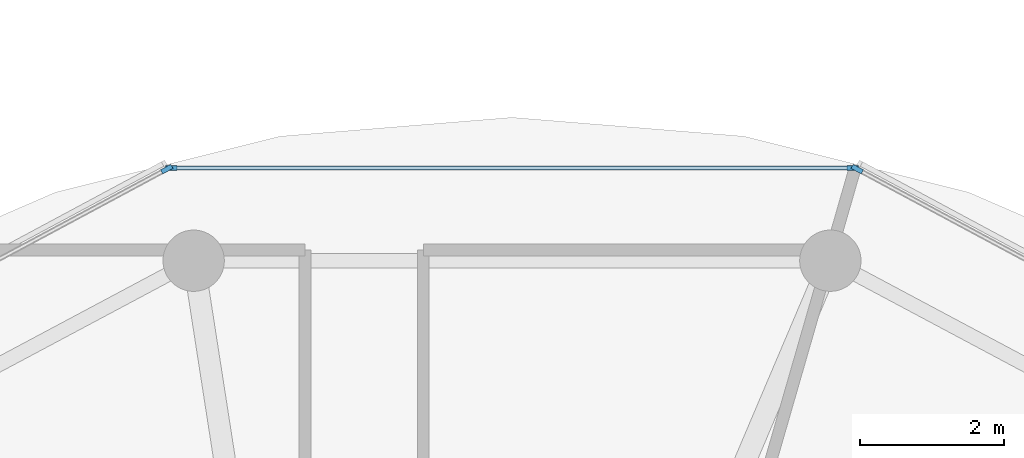
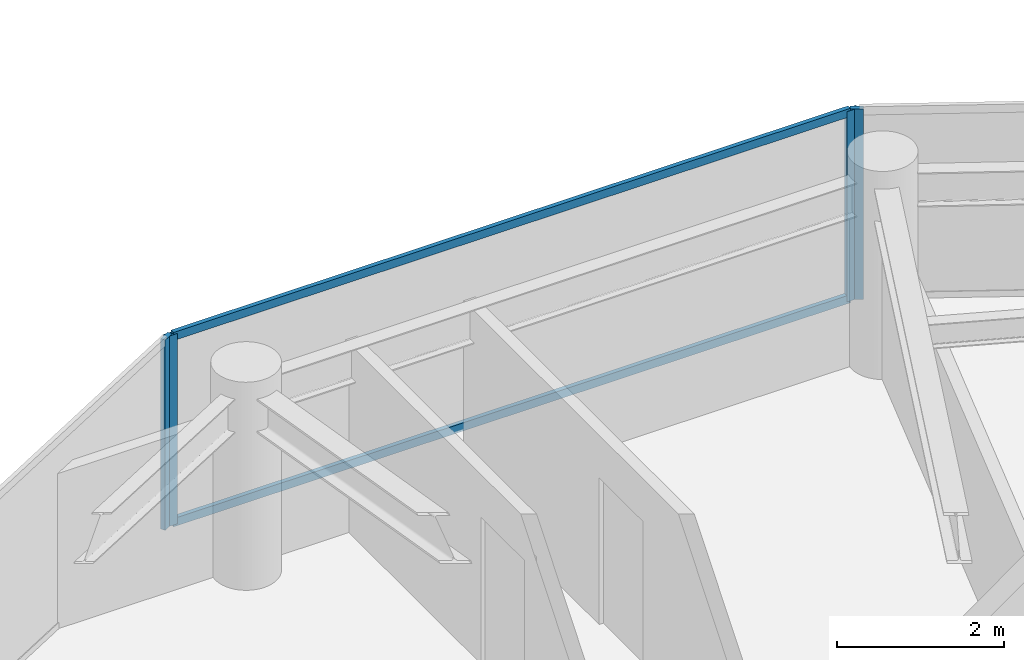
# One storey, part 9 of 24: 6 members, 3 elements without a shape of their own.
"""IFC4 building model written with IfcOpenShell, lengths in metres."""

from ifc_helpers import new_model, si_unit, direction, frame, origin, origin_2d, place, context, subcontext, project, spatial, rectangle, extrude, source, transform, mapped, material, layer, layer_set, material_profile, profile_set, type_object, type_shapes, element, aggregate, save


model = new_model("IFC4")

# Units and contexts
model_context = context("Model", 3, precision=1e-05, world=origin(), true_north=direction((0.0, 1.0)))
body_context = subcontext(model_context, "Body", "Model", "MODEL_VIEW")
ifc_project = project(units=[si_unit("LENGTHUNIT", "METRE"), si_unit("AREAUNIT", "SQUARE_METRE"), si_unit("VOLUMEUNIT", "CUBIC_METRE"), si_unit("PLANEANGLEUNIT", "RADIAN"), si_unit("MASSUNIT", "GRAM", prefix="KILO")], contexts=[model_context])

# Site, building, storey
site_placement = place(None, origin())
site = spatial("IfcSite", under=ifc_project, at=site_placement, CompositionType="ELEMENT")
building_placement = place(site_placement, origin())
building = spatial("IfcBuilding", under=site, at=building_placement, Name="Norrkilde Senior Care Towers", CompositionType="ELEMENT")
storey_placement = place(building_placement, frame((0.0, 0.0, 114.550048828125)))
storey = spatial("IfcBuildingStorey", under=building, at=storey_placement, Name="L35", CompositionType="ELEMENT", Elevation=114.550048828125)

# Curtain wall, member
ifc_material_1 = material(Name="Triple Low-E Insulated Glazing", Category="glass")
ifc_layer = layer(ifc_material_1, 0.195068359375)
ifc_layer_set = layer_set([ifc_layer], Name="Triple Low-E Insulated Glazing")
curtain_wall_type = type_object("IfcCurtainWallType", Name="CW3 Zone 2 Assisted Living Curtain Wall", PredefinedType="NOTDEFINED", material=ifc_layer_set)
curtain_wall_1_placement = place(storey_placement, origin())
curtain_wall_1 = element("IfcCurtainWall", 1, at=curtain_wall_1_placement, inside=storey, type_object=curtain_wall_type, Name="L35 Drum W Curtain Wall 01", PredefinedType="NOTDEFINED")
ifc_material_2 = material(Name="Anodised Aluminium", Category="aluminium")
ifc_material_profile_1 = material_profile(ifc_material_2, rectangle(XDim=0.06494140625, YDim=0.159912109375, at=origin_2d()), Name="ALU MULL 65x160")
ifc_profile_set_1 = profile_set([ifc_material_profile_1], Name="Anodised Aluminium")
member_type_1 = type_object("IfcMemberType", Name="Curtain Wall Mullion Z1-Z2 65x160", PredefinedType="MULLION", material=ifc_profile_set_1)
shared_shape_1 = source(origin(), body_context, "Body", "SweptSolid", [
    extrude(rectangle(XDim=0.06494140625, YDim=0.159912109375, at=origin_2d()), origin(), (0.0, 0.0, 1.0), 2.7900390625),
])
type_shapes(member_type_1, [shared_shape_1])
member_1_placement = place(storey_placement, frame((-21.164306640625, 16.482666015625, 0.0), z_axis=(0.0, 0.0, 1.0), x_axis=(0.472769402511, 0.881186184668, 0.0)))
member_1 = element("IfcMember", 2, at=member_1_placement, type_object=member_type_1, Name="CW-3 mullion 1", PredefinedType="MULLION", context=body_context, shape_type="MappedRepresentation", body=[
    mapped(shared_shape_1, transform((0.0, 0.0, 0.0), x_axis=(1.0, 0.0, 0.0), y_axis=(0.0, 1.0, 0.0), z_axis=(0.0, 0.0, 1.0), scale=1.0)),
])
aggregate(curtain_wall_1, [member_1])

# Curtain wall, members
curtain_wall_2_placement = place(storey_placement, origin())
curtain_wall_2 = element("IfcCurtainWall", 3, at=curtain_wall_2_placement, inside=storey, type_object=curtain_wall_type, Name="L35 Drum W Curtain Wall 02", PredefinedType="NOTDEFINED")
member_2_placement = place(storey_placement, frame((-30.674560546875, 16.498046875, 0.0), z_axis=(0.0, 0.0, 1.0), x_axis=(0.0, 1.0, 0.0)))
member_2 = element("IfcMember", 4, at=member_2_placement, type_object=member_type_1, Name="CW-3 mullion 1", PredefinedType="MULLION", context=body_context, shape_type="MappedRepresentation", body=[
    mapped(shared_shape_1, transform((0.0, 0.0, 0.0), x_axis=(1.0, 0.0, 0.0), y_axis=(0.0, 1.0, 0.0), z_axis=(0.0, 0.0, 1.0), scale=1.0)),
])
member_3_placement = place(storey_placement, frame((-21.225341796875, 16.498046875, 0.0), z_axis=(0.0, 0.0, 1.0), x_axis=(0.0, 1.0, 0.0)))
member_3 = element("IfcMember", 5, at=member_3_placement, type_object=member_type_1, Name="CW-3 mullion 2", PredefinedType="MULLION", context=body_context, shape_type="MappedRepresentation", body=[
    mapped(shared_shape_1, transform((0.0, 0.0, 0.0), x_axis=(1.0, 0.0, 0.0), y_axis=(0.0, 1.0, 0.0), z_axis=(0.0, 0.0, 1.0), scale=1.0)),
])

# Curtain wall, member
curtain_wall_3_placement = place(storey_placement, origin())
curtain_wall_3 = element("IfcCurtainWall", 6, at=curtain_wall_3_placement, inside=storey, type_object=curtain_wall_type, Name="L35 Drum W Curtain Wall 03", PredefinedType="NOTDEFINED")
member_4_placement = place(storey_placement, frame((-30.73583984375, 16.482666015625, 0.0), z_axis=(0.0, 0.0, 1.0), x_axis=(-0.472769402511, 0.881186184668, 0.0)))
member_4 = element("IfcMember", 7, at=member_4_placement, type_object=member_type_1, Name="CW-3 mullion 2", PredefinedType="MULLION", context=body_context, shape_type="MappedRepresentation", body=[
    mapped(shared_shape_1, transform((0.0, 0.0, 0.0), x_axis=(1.0, 0.0, 0.0), y_axis=(0.0, 1.0, 0.0), z_axis=(0.0, 0.0, 1.0), scale=1.0)),
])
aggregate(curtain_wall_3, [member_4])

# Member
ifc_material_profile_2 = material_profile(ifc_material_2, rectangle(XDim=0.06005859375, YDim=0.1201171875, at=origin_2d()), Name="ALU TRAN 60x120")
ifc_profile_set_2 = profile_set([ifc_material_profile_2], Name="Anodised Aluminium")
member_type_2 = type_object("IfcMemberType", Name="Curtain Wall Transom Typical 60x120", PredefinedType="USERDEFINED", material=ifc_profile_set_2)
shared_shape_2 = source(origin(), body_context, "Body", "SweptSolid", [
    extrude(rectangle(XDim=0.06005859375, YDim=0.1201171875, at=origin_2d()), origin(), (0.0, 0.0, 1.0), 9.38427734375),
])
type_shapes(member_type_2, [shared_shape_2])
member_5_placement = place(storey_placement, frame((-30.64208984375, 16.498046875, 0.030029296875), z_axis=(1.0, 0.0, 0.0), x_axis=(0.0, 1.0, 0.0)))
member_5 = element("IfcMember", 8, at=member_5_placement, type_object=member_type_2, Name="CW-3 transom 1.1", ObjectType="TRANSOM", PredefinedType="USERDEFINED", context=body_context, shape_type="MappedRepresentation", body=[
    mapped(shared_shape_2, transform((0.0, 0.0, 0.0), x_axis=(1.0, 0.0, 0.0), y_axis=(0.0, 1.0, 0.0), z_axis=(0.0, 0.0, 1.0), scale=1.0)),
])

member_6_placement = place(storey_placement, frame((-30.64208984375, 16.498046875, 2.760009765625), z_axis=(1.0, 0.0, 0.0), x_axis=(0.0, 1.0, 0.0)))
member_6 = element("IfcMember", 9, at=member_6_placement, type_object=member_type_2, Name="CW-3 transom 1.2", ObjectType="TRANSOM", PredefinedType="USERDEFINED", context=body_context, shape_type="MappedRepresentation", body=[
    mapped(shared_shape_2, transform((0.0, 0.0, 0.0), x_axis=(1.0, 0.0, 0.0), y_axis=(0.0, 1.0, 0.0), z_axis=(0.0, 0.0, 1.0), scale=1.0)),
])

aggregate(curtain_wall_2, [member_2, member_3, member_5, member_6])

save(model, "model.ifc")
